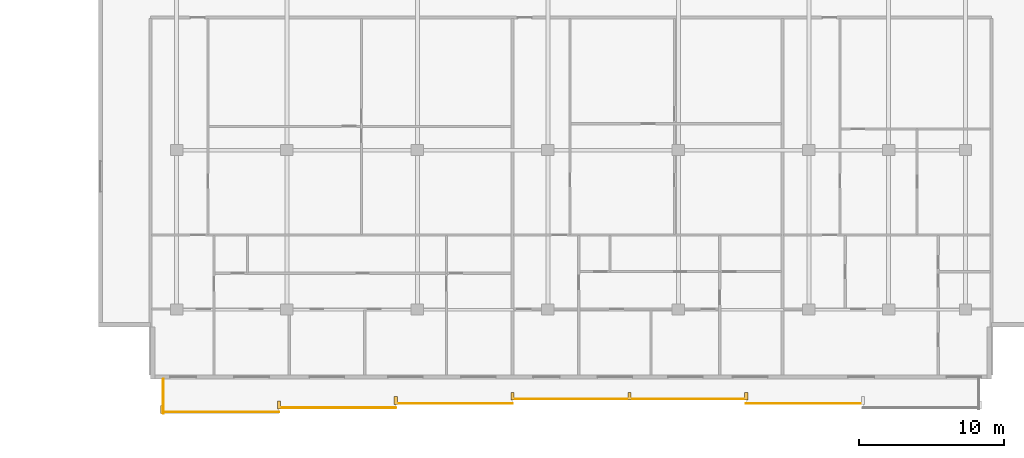
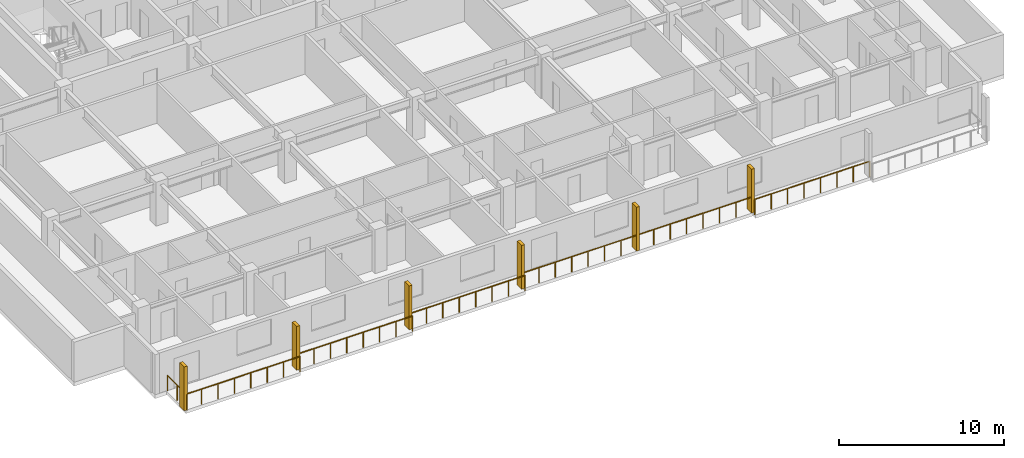
# One storey, part 18 of 22: 6 railings, 6 shading devices.
"""IFC4 building model written with IfcOpenShell, lengths in metres."""

from ifc_helpers import new_model, si_unit, direction, frame, origin, origin_2d, place, context, subcontext, project, spatial, rectangle, circle, extrude, material, type_object, element, save


model = new_model("IFC4")

# Units and contexts
model_context = context("Model", 3, precision=1e-05, world=origin(), true_north=direction((0.0, 1.0)))
body_context = subcontext(model_context, "Body", "Model", "MODEL_VIEW")
ifc_project = project(units=[si_unit("LENGTHUNIT", "METRE"), si_unit("AREAUNIT", "SQUARE_METRE"), si_unit("VOLUMEUNIT", "CUBIC_METRE"), si_unit("PLANEANGLEUNIT", "RADIAN"), si_unit("MASSUNIT", "GRAM", prefix="KILO")], contexts=[model_context])

# Site, building, storey
site_placement = place(None, origin())
site = spatial("IfcSite", under=ifc_project, at=site_placement, CompositionType="ELEMENT")
building_placement = place(site_placement, origin())
building = spatial("IfcBuilding", under=site, at=building_placement, Name="Korimba Cascade Residences", CompositionType="ELEMENT")
storey_placement = place(building_placement, frame((0.0, 0.0, 126.300048828125)))
storey = spatial("IfcBuildingStorey", under=building, at=storey_placement, Name="L36", CompositionType="ELEMENT", Elevation=126.300048828125)

# Railings
ifc_material_1 = material(Name="Laminated Glass and Bronze Balustrade", Category="glass")
railing_type = type_object("IfcRailingType", Name="RLG-LOG-1150", PredefinedType="BALUSTRADE", material=ifc_material_1)
for number, where, name in (
    (1, (73.5, -11.27001953125, 0.0), "L36 Perimeter Guardrail RLG-L36-T2-LOG-01"),
    (2, (81.55712890625, -10.969970703125, 0.0), "L36 Perimeter Guardrail RLG-L36-T2-LOG-02"),
    (3, (89.6142578125, -10.669921875, 0.0), "L36 Perimeter Guardrail RLG-L36-T2-LOG-03"),
):
    element("IfcRailing", number, at=place(storey_placement, frame(where)), inside=storey, type_object=railing_type, Name=name, PredefinedType="BALUSTRADE", context=body_context, shape_type="SweptSolid", body=[
        extrude(circle(Radius=0.02392578125, at=origin_2d()), frame((0.0, 0.0, 1.1259765625), z_axis=(1.0, 0.0, 0.0), x_axis=(0.0, 1.0, 0.0)), (0.0, 0.0, 1.0), 8.05712890625),
        extrude(circle(Radius=0.02099609375, at=origin_2d()), origin(), (0.0, 0.0, 1.0), 1.101806640625),
        extrude(circle(Radius=0.02099609375, at=origin_2d()), frame((1.151123046875, 0.0, 0.0)), (0.0, 0.0, 1.0), 1.101806640625),
        extrude(circle(Radius=0.02099609375, at=origin_2d()), frame((2.302001953125, 0.0, 0.0)), (0.0, 0.0, 1.0), 1.101806640625),
        extrude(circle(Radius=0.02099609375, at=origin_2d()), frame((3.453125, 0.0, 0.0)), (0.0, 0.0, 1.0), 1.101806640625),
        extrude(circle(Radius=0.02099609375, at=origin_2d()), frame((4.60400390625, 0.0, 0.0)), (0.0, 0.0, 1.0), 1.101806640625),
        extrude(circle(Radius=0.02099609375, at=origin_2d()), frame((5.755126953125, 0.0, 0.0)), (0.0, 0.0, 1.0), 1.101806640625),
        extrude(circle(Radius=0.02099609375, at=origin_2d()), frame((6.906005859375, 0.0, 0.0)), (0.0, 0.0, 1.0), 1.101806640625),
        extrude(circle(Radius=0.02099609375, at=origin_2d()), frame((8.05712890625, 0.0, 0.0)), (0.0, 0.0, 1.0), 1.101806640625),
    ])
railing_1_placement = place(storey_placement, frame((97.67138671875, -10.3701171875, 0.0)))
element("IfcRailing", 4, at=railing_1_placement, inside=storey, type_object=railing_type, Name="L36 Perimeter Guardrail RLG-L36-T2-LOG-04", PredefinedType="BALUSTRADE", context=body_context, shape_type="SweptSolid", body=[
    extrude(circle(Radius=0.02392578125, at=origin_2d()), frame((0.0, 0.0, 1.1259765625), z_axis=(1.0, 0.0, 0.0), x_axis=(0.0, 1.0, 0.0)), (0.0, 0.0, 1.0), 16.1142578125),
    extrude(circle(Radius=0.02099609375, at=origin_2d()), origin(), (0.0, 0.0, 1.0), 1.101806640625),
    extrude(circle(Radius=0.02099609375, at=origin_2d()), frame((1.151123046875, 0.0, 0.0)), (0.0, 0.0, 1.0), 1.101806640625),
    extrude(circle(Radius=0.02099609375, at=origin_2d()), frame((2.302001953125, 0.0, 0.0)), (0.0, 0.0, 1.0), 1.101806640625),
    extrude(circle(Radius=0.02099609375, at=origin_2d()), frame((3.453125, 0.0, 0.0)), (0.0, 0.0, 1.0), 1.101806640625),
    extrude(circle(Radius=0.02099609375, at=origin_2d()), frame((4.60400390625, 0.0, 0.0)), (0.0, 0.0, 1.0), 1.101806640625),
    extrude(circle(Radius=0.02099609375, at=origin_2d()), frame((5.755126953125, 0.0, 0.0)), (0.0, 0.0, 1.0), 1.101806640625),
    extrude(circle(Radius=0.02099609375, at=origin_2d()), frame((6.906005859375, 0.0, 0.0)), (0.0, 0.0, 1.0), 1.101806640625),
    extrude(circle(Radius=0.02099609375, at=origin_2d()), frame((8.05712890625, 0.0, 0.0)), (0.0, 0.0, 1.0), 1.101806640625),
    extrude(circle(Radius=0.02099609375, at=origin_2d()), frame((9.208251953125, 0.0, 0.0)), (0.0, 0.0, 1.0), 1.101806640625),
    extrude(circle(Radius=0.02099609375, at=origin_2d()), frame((10.359130859375, 0.0, 0.0)), (0.0, 0.0, 1.0), 1.101806640625),
    extrude(circle(Radius=0.02099609375, at=origin_2d()), frame((11.51025390625, 0.0, 0.0)), (0.0, 0.0, 1.0), 1.101806640625),
    extrude(circle(Radius=0.02099609375, at=origin_2d()), frame((12.6611328125, 0.0, 0.0)), (0.0, 0.0, 1.0), 1.101806640625),
    extrude(circle(Radius=0.02099609375, at=origin_2d()), frame((13.812255859375, 0.0, 0.0)), (0.0, 0.0, 1.0), 1.101806640625),
    extrude(circle(Radius=0.02099609375, at=origin_2d()), frame((14.963134765625, 0.0, 0.0)), (0.0, 0.0, 1.0), 1.101806640625),
    extrude(circle(Radius=0.02099609375, at=origin_2d()), frame((16.1142578125, 0.0, 0.0)), (0.0, 0.0, 1.0), 1.101806640625),
])
railing_2_placement = place(storey_placement, frame((113.78564453125, -10.669921875, 0.0)))
element("IfcRailing", 5, at=railing_2_placement, inside=storey, type_object=railing_type, Name="L36 Perimeter Guardrail RLG-L36-T2-LOG-05", PredefinedType="BALUSTRADE", context=body_context, shape_type="SweptSolid", body=[
    extrude(circle(Radius=0.02392578125, at=origin_2d()), frame((0.0, 0.0, 1.1259765625), z_axis=(1.0, 0.0, 0.0), x_axis=(0.0, 1.0, 0.0)), (0.0, 0.0, 1.0), 8.057373046875),
    extrude(circle(Radius=0.02099609375, at=origin_2d()), origin(), (0.0, 0.0, 1.0), 1.101806640625),
    extrude(circle(Radius=0.02099609375, at=origin_2d()), frame((1.151123046875, 0.0, 0.0)), (0.0, 0.0, 1.0), 1.101806640625),
    extrude(circle(Radius=0.02099609375, at=origin_2d()), frame((2.302001953125, 0.0, 0.0)), (0.0, 0.0, 1.0), 1.101806640625),
    extrude(circle(Radius=0.02099609375, at=origin_2d()), frame((3.453125, 0.0, 0.0)), (0.0, 0.0, 1.0), 1.101806640625),
    extrude(circle(Radius=0.02099609375, at=origin_2d()), frame((4.604248046875, 0.0, 0.0)), (0.0, 0.0, 1.0), 1.101806640625),
    extrude(circle(Radius=0.02099609375, at=origin_2d()), frame((5.75537109375, 0.0, 0.0)), (0.0, 0.0, 1.0), 1.101806640625),
    extrude(circle(Radius=0.02099609375, at=origin_2d()), frame((6.90625, 0.0, 0.0)), (0.0, 0.0, 1.0), 1.101806640625),
    extrude(circle(Radius=0.02099609375, at=origin_2d()), frame((8.057373046875, 0.0, 0.0)), (0.0, 0.0, 1.0), 1.101806640625),
])
railing_3_placement = place(storey_placement, frame((73.580078125, -9.0, 0.0)))
element("IfcRailing", 6, at=railing_3_placement, inside=storey, type_object=railing_type, Name="L36 Perimeter Guardrail RLG-L36-T2-LOG-08", PredefinedType="BALUSTRADE", context=body_context, shape_type="SweptSolid", body=[
    extrude(circle(Radius=0.02392578125, at=origin_2d()), frame((0.0, 0.0, 1.1259765625), z_axis=(0.0, -1.0, 0.0), x_axis=(1.0, 0.0, 0.0)), (0.0, 0.0, 1.0), 2.35009765625),
    extrude(circle(Radius=0.02099609375, at=origin_2d()), origin(), (0.0, 0.0, 1.0), 1.101806640625),
    extrude(circle(Radius=0.02099609375, at=origin_2d()), frame((0.0, -1.175048828125, 0.0)), (0.0, 0.0, 1.0), 1.101806640625),
    extrude(circle(Radius=0.02099609375, at=origin_2d()), frame((0.0, -2.35009765625, 0.0)), (0.0, 0.0, 1.0), 1.101806640625),
])

# Shading devices
ifc_material_2 = material(Name="Honed Sandstone Precast Fin", Category="masonry")
shading_device_type = type_object("IfcShadingDeviceType", Name="SHD-FIN-550", PredefinedType="USERDEFINED", material=ifc_material_2)
for number, where, z_axis, x_axis, name in (
    (7, (73.5, -11.074951171875, 0.0), (0.0, 0.0, 1.0), (1.0, 0.0, 0.0), "L36 T2 Warm-Stone Loggia Fin 1"),
    (8, (81.55712890625, -10.77490234375, 0.0), (0.0, 0.0, 1.0), (1.0, 0.0, 0.0), "L36 T2 Warm-Stone Loggia Fin 2"),
    (9, (89.6142578125, -10.47509765625, 0.0), (0.0, 0.0, 1.0), (1.0, 0.0, 0.0), "L36 T2 Warm-Stone Loggia Fin 3"),
    (10, (97.67138671875, -10.175048828125, 0.0), (0.0, 0.0, 1.0), (1.0, 0.0, 0.0), "L36 T2 Warm-Stone Loggia Fin 4"),
    (11, (105.728515625, -10.175048828125, 0.0), (0.0, 0.0, 1.0), (1.0, 0.0, 0.0), "L36 T2 Warm-Stone Loggia Fin 5"),
    (12, (113.78564453125, -10.175048828125, 0.0), (0.0, 0.0, 1.0), (1.0, 0.0, 0.0), "L36 T2 Warm-Stone Loggia Fin 6"),
):
    element("IfcShadingDevice", number, at=place(storey_placement, frame(where, z_axis=z_axis, x_axis=x_axis)), inside=storey, type_object=shading_device_type, Name=name, ObjectType="FIN", PredefinedType="USERDEFINED", context=body_context, shape_type="SweptSolid", body=[
        extrude(rectangle(XDim=0.219970703125, YDim=0.550048828125, at=origin_2d()), origin(), (0.0, 0.0, 1.0), 3.25),
    ])

save(model, "model.ifc")
